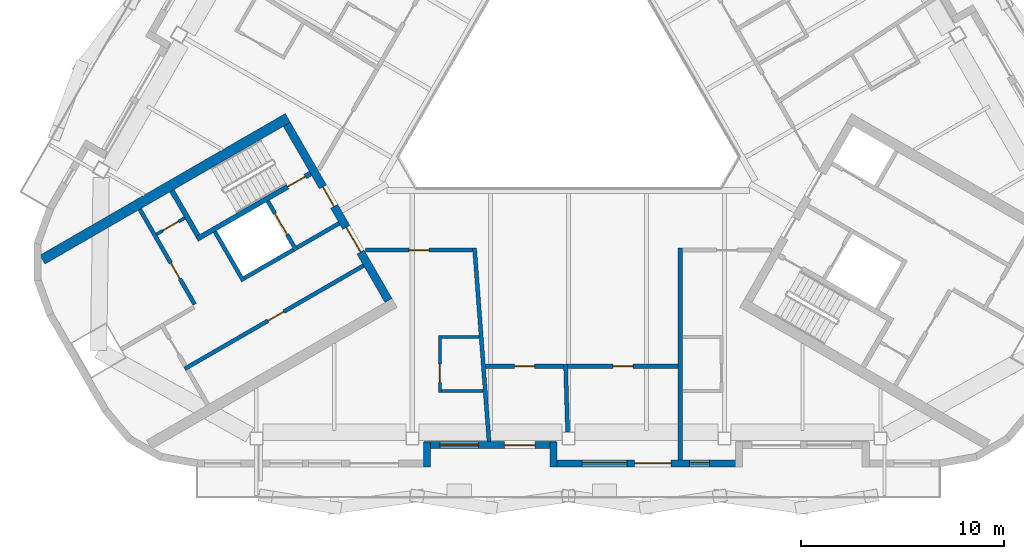
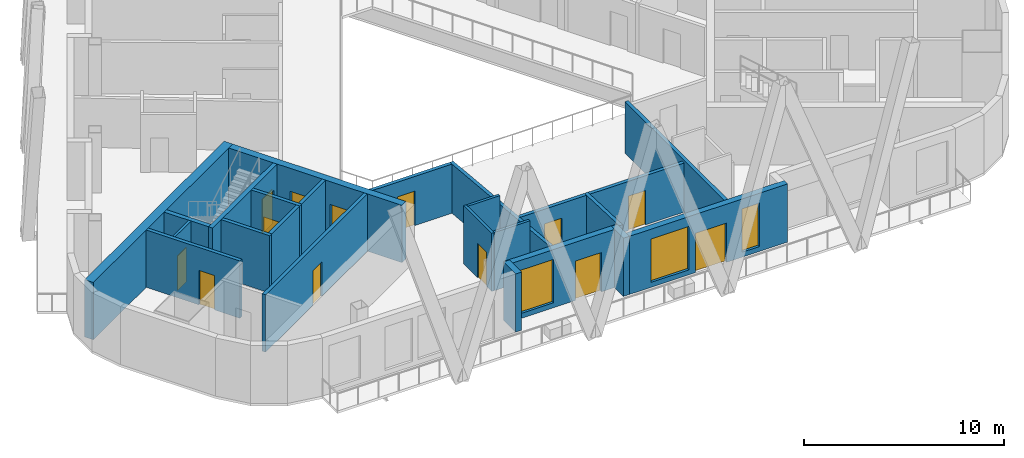
# One storey, part 3 of 14: 24 walls, 13 doors, 3 windows, 16 openings.
"""IFC4 building model written with IfcOpenShell, lengths in metres."""

from ifc_helpers import new_model, si_unit, direction, frame, frame_2d, origin, place, context, subcontext, project, spatial, rectangle, extrude, material, layer, layer_set, type_object, element, fill, save


model = new_model("IFC4")

# Units and contexts
model_context = context("Model", 3, precision=1e-05, world=origin(), true_north=direction((0.0, 1.0)))
body_context = subcontext(model_context, "Body", "Model", "MODEL_VIEW")
ifc_project = project(units=[si_unit("LENGTHUNIT", "METRE"), si_unit("AREAUNIT", "SQUARE_METRE"), si_unit("VOLUMEUNIT", "CUBIC_METRE"), si_unit("PLANEANGLEUNIT", "RADIAN"), si_unit("MASSUNIT", "GRAM", prefix="KILO")], contexts=[model_context])

# Site, building, storey
site_placement = place(None, origin())
site = spatial("IfcSite", under=ifc_project, at=site_placement, CompositionType="ELEMENT")
building_placement = place(site_placement, origin())
building = spatial("IfcBuilding", under=site, at=building_placement, Name="Apuvela Tower Hotel", CompositionType="ELEMENT")
storey_placement = place(building_placement, frame((0.0, 0.0, 257.800048828125)))
storey = spatial("IfcBuildingStorey", under=building, at=storey_placement, Name="L63", CompositionType="ELEMENT", Elevation=257.800048828125)

# Wall, openings, doors
ifc_material_1 = material(Name="Concrete C50/60", Category="concrete")
ifc_layer_1 = layer(ifc_material_1, 0.39990234375)
ifc_layer_set_1 = layer_set([ifc_layer_1], Name="COR-WALL-CORE-400")
wall_type_1 = type_object("IfcWallType", Name="COR-WALL-CORE-400", PredefinedType="SHEAR", material=ifc_layer_set_1)
wall_1_placement = place(storey_placement, frame((-13.844970703125, -2.219970703125, 0.0), z_axis=(0.0, 0.0, 1.0), x_axis=(0.500004234368, -0.866022959057, 0.0)))
wall_1 = element("IfcWall", 1, at=wall_1_placement, inside=storey, type_object=wall_type_1, Name="Core wall SW", PredefinedType="SHEAR", context=body_context, shape_type="SweptSolid", body=[
    extrude(rectangle(XDim=10.0, YDim=0.39990234375, at=frame_2d((5.0, 0.0))), origin(), (0.0, 0.0, 1.0), 3.5),
])
opening_1_placement = place(wall_1_placement, frame((3.550048828125, 0.0, 0.0)))
opening_1 = element("IfcOpeningElement", 2, at=opening_1_placement, cuts=wall_1, Name="Opening W-FD", PredefinedType="OPENING", context=body_context, shape_type="SweptSolid", body=[
    extrude(rectangle(XDim=1.10009765625, YDim=2.10009765625, at=frame_2d((0.550048828125, 1.050048828125))), frame((0.0, 0.2099609375, 0.0), z_axis=(0.0, -1.0, 0.0), x_axis=(1.0, 0.0, 0.0)), (0.0, 0.0, 1.0), 0.419921875),
])
opening_2_placement = place(wall_1_placement, frame((5.85009765625, 0.0, 0.0)))
opening_2 = element("IfcOpeningElement", 3, at=opening_2_placement, cuts=wall_1, Name="Opening W-GD", PredefinedType="OPENING", context=body_context, shape_type="SweptSolid", body=[
    extrude(rectangle(XDim=1.39990234375, YDim=2.10009765625, at=frame_2d((0.699951171875, 1.050048828125))), frame((0.0, 0.2099609375, 0.0), z_axis=(0.0, -1.0, 0.0), x_axis=(1.0, 0.0, 0.0)), (0.0, 0.0, 1.0), 0.419921875),
])
ifc_material_2 = material(Name="Steel fire door, powder coated", Category="steel")
door_type_1 = type_object("IfcDoorType", Name="COR-FD-1100", OperationType="NOTDEFINED", PredefinedType="DOOR", material=ifc_material_2)
door_1_placement = place(opening_1_placement, frame((1.10009765625, 0.0, 0.0), z_axis=(0.0, 0.0, 1.0), x_axis=(-1.0, 0.0, 0.0)))
door_1 = element("IfcDoor", 4, at=door_1_placement, inside=storey, type_object=door_type_1, Name="Firefighting lobby door W-FD", OperationType="SINGLE_SWING_LEFT", OverallHeight=2.10009765625, OverallWidth=1.10009765625, PredefinedType="DOOR", context=body_context, shape_type="SweptSolid", body=[
    extrude(rectangle(XDim=1.10009765625, YDim=2.10009765625, at=frame_2d((0.550048828125, 1.050048828125))), frame((0.0, 0.02490234375, 0.0), z_axis=(0.0, -1.0, 0.0), x_axis=(1.0, 0.0, 0.0)), (0.0, 0.0, 1.0), 0.050048828125),
])
fill(opening_1, door_1)
ifc_material_3 = material(Name="Glazed steel fire door", Category="steel")
door_type_2 = type_object("IfcDoorType", Name="COR-GD-1400", OperationType="DOUBLE_DOOR_SINGLE_SWING", PredefinedType="DOOR", material=ifc_material_3)
door_2_placement = place(opening_2_placement, frame((1.39990234375, 0.0, 0.0), z_axis=(0.0, 0.0, 1.0), x_axis=(-1.0, 0.0, 0.0)))
door_2 = element("IfcDoor", 5, at=door_2_placement, inside=storey, type_object=door_type_2, Name="Lift lobby door W-GD", OperationType="DOUBLE_DOOR_SINGLE_SWING", OverallHeight=2.10009765625, OverallWidth=1.39990234375, PredefinedType="DOOR", context=body_context, shape_type="SweptSolid", body=[
    extrude(rectangle(XDim=1.39990234375, YDim=2.10009765625, at=frame_2d((0.699951171875, 1.050048828125))), frame((0.0, 0.02490234375, 0.0), z_axis=(0.0, -1.0, 0.0), x_axis=(1.0, 0.0, 0.0)), (0.0, 0.0, 1.0), 0.050048828125),
])
fill(opening_2, door_2)

# Wall
ifc_layer_2 = layer(ifc_material_1, 0.5)
ifc_layer_set_2 = layer_set([ifc_layer_2], Name="COR-WALL-CORE-500")
wall_type_2 = type_object("IfcWallType", Name="COR-WALL-CORE-500", PredefinedType="SHEAR", material=ifc_layer_set_2)
wall_2_placement = place(storey_placement, frame((-13.796630859375, -1.9033203125, 0.0), z_axis=(0.0, 0.0, 1.0), x_axis=(-0.86602744543, -0.49999646375, 0.0)))
element("IfcWall", 6, at=wall_2_placement, inside=storey, type_object=wall_type_2, Name="Core wall SW", PredefinedType="SHEAR", context=body_context, shape_type="SweptSolid", body=[
    extrude(rectangle(XDim=13.93408203125, YDim=0.5, at=frame_2d((6.967041015625, 0.0))), origin(), (0.0, 0.0, 1.0), 3.5),
])

# Wall, opening, door
ifc_material_4 = material(Name="Blockwork 150 mm plastered", Category="masonry")
ifc_layer_3 = layer(ifc_material_4, 0.14990234375)
ifc_layer_set_3 = layer_set([ifc_layer_3], Name="COR-WALL-PART-150")
wall_type_3 = type_object("IfcWallType", Name="COR-WALL-PART-150", PredefinedType="PARTITIONING", material=ifc_layer_set_3)
wall_3_placement = place(storey_placement, frame((-18.866455078125, -6.822265625, 0.0), z_axis=(0.0, 0.0, 1.0), x_axis=(-0.866028054938, -0.499995408039, 0.0)))
wall_3 = element("IfcWall", 7, at=wall_3_placement, inside=storey, type_object=wall_type_3, Name="Partition SW", PredefinedType="PARTITIONING", context=body_context, shape_type="SweptSolid", body=[
    extrude(rectangle(XDim=1.60009765625, YDim=0.14990234375, at=frame_2d((0.800048828125, 0.0))), origin(), (0.0, 0.0, 1.0), 3.5),
])
opening_3_placement = place(wall_3_placement, frame((0.35009765625, 0.0, 0.0)))
opening_3 = element("IfcOpeningElement", 8, at=opening_3_placement, cuts=wall_3, Name="Opening W-RD", PredefinedType="OPENING", context=body_context, shape_type="SweptSolid", body=[
    extrude(rectangle(XDim=0.89990234375, YDim=2.10009765625, at=frame_2d((0.449951171875, 1.050048828125))), frame((0.0, 0.0849609375, 0.0), z_axis=(0.0, -1.0, 0.0), x_axis=(1.0, 0.0, 0.0)), (0.0, 0.0, 1.0), 0.169921875),
])
ifc_material_5 = material(Name="Steel access door, powder coated", Category="steel")
door_type_3 = type_object("IfcDoorType", Name="COR-RD-900", OperationType="NOTDEFINED", PredefinedType="DOOR", material=ifc_material_5)
door_3_placement = place(opening_3_placement, frame((0.89990234375, 0.0, 0.0), z_axis=(0.0, 0.0, 1.0), x_axis=(-1.0, 0.0, 0.0)))
door_3 = element("IfcDoor", 9, at=door_3_placement, inside=storey, type_object=door_type_3, Name="Riser door W-RD", OperationType="SINGLE_SWING_RIGHT", OverallHeight=2.10009765625, OverallWidth=0.89990234375, PredefinedType="DOOR", context=body_context, shape_type="SweptSolid", body=[
    extrude(rectangle(XDim=0.89990234375, YDim=2.10009765625, at=frame_2d((0.449951171875, 1.050048828125))), frame((0.0, 0.02490234375, 0.0), z_axis=(0.0, -1.0, 0.0), x_axis=(1.0, 0.0, 0.0)), (0.0, 0.0, 1.0), 0.050048828125),
])
fill(opening_3, door_3)

ifc_material_6 = material(Name="Blockwork 200 mm plastered", Category="masonry")
ifc_layer_4 = layer(ifc_material_6, 0.199951171875)
ifc_layer_set_4 = layer_set([ifc_layer_4], Name="COR-WALL-PART-200")
wall_type_4 = type_object("IfcWallType", Name="COR-WALL-PART-200", PredefinedType="PARTITIONING", material=ifc_layer_set_4)
wall_4_placement = place(storey_placement, frame((-21.076171875, -6.39501953125, 0.0), z_axis=(0.0, 0.0, 1.0), x_axis=(0.50001468107, -0.866016927499, 0.0)))
wall_4 = element("IfcWall", 10, at=wall_4_placement, inside=storey, type_object=wall_type_4, Name="Partition SW", PredefinedType="PARTITIONING", context=body_context, shape_type="SweptSolid", body=[
    extrude(rectangle(XDim=5.399658203125, YDim=0.199951171875, at=frame_2d((2.69970703125, 0.0))), origin(), (0.0, 0.0, 1.0), 3.5),
])
opening_4_placement = place(wall_4_placement, frame((3.050048828125, 0.0, 0.0)))
opening_4 = element("IfcOpeningElement", 11, at=opening_4_placement, cuts=wall_4, Name="Opening W-RS1", PredefinedType="OPENING", context=body_context, shape_type="SweptSolid", body=[
    extrude(rectangle(XDim=0.89990234375, YDim=2.10009765625, at=frame_2d((0.449951171875, 1.050048828125))), frame((0.0, 0.10986328125, 0.0), z_axis=(0.0, -1.0, 0.0), x_axis=(1.0, 0.0, 0.0)), (0.0, 0.0, 1.0), 0.219970703125),
])
door_type_4 = type_object("IfcDoorType", Name="COR-DR-900", OperationType="NOTDEFINED", PredefinedType="DOOR", material=ifc_material_2)
door_4_placement = place(opening_4_placement, frame((0.89990234375, 0.0, 0.0), z_axis=(0.0, 0.0, 1.0), x_axis=(-1.0, 0.0, 0.0)))
door_4 = element("IfcDoor", 12, at=door_4_placement, inside=storey, type_object=door_type_4, Name="Store door W-RS1", OperationType="SINGLE_SWING_LEFT", OverallHeight=2.10009765625, OverallWidth=0.89990234375, PredefinedType="DOOR", context=body_context, shape_type="SweptSolid", body=[
    extrude(rectangle(XDim=0.89990234375, YDim=2.10009765625, at=frame_2d((0.449951171875, 1.050048828125))), frame((0.0, 0.02490234375, 0.0), z_axis=(0.0, -1.0, 0.0), x_axis=(1.0, 0.0, 0.0)), (0.0, 0.0, 1.0), 0.050048828125),
])
fill(opening_4, door_4)

# Wall
ifc_layer_5 = layer(ifc_material_1, 0.199951171875)
ifc_layer_set_5 = layer_set([ifc_layer_5], Name="COR-WALL-SHAFT-200")
wall_type_5 = type_object("IfcWallType", Name="COR-WALL-SHAFT-200", PredefinedType="SHEAR", material=ifc_layer_set_5)
wall_5_placement = place(storey_placement, frame((-17.38134765625, -7.49462890625, 0.0), z_axis=(0.0, 0.0, 1.0), x_axis=(0.500011755427, -0.866018616679, 0.0)))
element("IfcWall", 13, at=wall_5_placement, inside=storey, type_object=wall_type_5, Name="Shaft wall SW", PredefinedType="SHEAR", context=body_context, shape_type="SweptSolid", body=[
    extrude(rectangle(XDim=2.80029296875, YDim=0.199951171875, at=frame_2d((1.400146484375, 0.0))), origin(), (0.0, 0.0, 1.0), 3.5),
])

# Wall, opening, door
wall_6_placement = place(storey_placement, frame((-14.783203125, -5.99462890625, 0.0), z_axis=(0.0, 0.0, 1.0), x_axis=(0.49994636267, -0.866056369097, 0.0)))
wall_6 = element("IfcWall", 14, at=wall_6_placement, inside=storey, type_object=wall_type_5, Name="Shaft wall SW", PredefinedType="SHEAR", context=body_context, shape_type="SweptSolid", body=[
    extrude(rectangle(XDim=2.800048828125, YDim=0.199951171875, at=frame_2d((1.39990234375, 0.0))), origin(), (0.0, 0.0, 1.0), 3.5),
])
opening_5_placement = place(wall_6_placement, frame((0.699951171875, 0.0, 0.0)))
opening_5 = element("IfcOpeningElement", 15, at=opening_5_placement, cuts=wall_6, Name="Opening W-LD-FS2", PredefinedType="OPENING", context=body_context, shape_type="SweptSolid", body=[
    extrude(rectangle(XDim=1.199951171875, YDim=2.10009765625, at=frame_2d((0.60009765625, 1.050048828125))), frame((0.0, 0.10986328125, 0.0), z_axis=(0.0, -1.0, 0.0), x_axis=(1.0, 0.0, 0.0)), (0.0, 0.0, 1.0), 0.219970703125),
])
ifc_material_7 = material(Name="Stainless steel lift landing door", Category="steel")
door_type_5 = type_object("IfcDoorType", Name="COR-LD-1200", OperationType="DOUBLE_DOOR_SLIDING", PredefinedType="DOOR", material=ifc_material_7)
door_5_placement = place(opening_5_placement, origin())
door_5 = element("IfcDoor", 16, at=door_5_placement, inside=storey, type_object=door_type_5, Name="Lift landing door W-LD-FS2", OperationType="DOUBLE_DOOR_SLIDING", OverallHeight=2.10009765625, OverallWidth=1.199951171875, PredefinedType="DOOR", context=body_context, shape_type="SweptSolid", body=[
    extrude(rectangle(XDim=1.199951171875, YDim=2.10009765625, at=frame_2d((0.60009765625, 1.050048828125))), frame((0.0, 0.02490234375, 0.0), z_axis=(0.0, -1.0, 0.0), x_axis=(1.0, 0.0, 0.0)), (0.0, 0.0, 1.0), 0.050048828125),
])
fill(opening_5, door_5)

# Walls
wall_7_placement = place(storey_placement, frame((-13.519775390625, -8.383056640625, 0.0), z_axis=(0.0, 0.0, 1.0), x_axis=(-0.866034573852, -0.49998411664, 0.0)))
element("IfcWall", 17, at=wall_7_placement, inside=storey, type_object=wall_type_5, Name="Shaft wall SW", PredefinedType="SHEAR", context=body_context, shape_type="SweptSolid", body=[
    extrude(rectangle(XDim=2.7998046875, YDim=0.199951171875, at=frame_2d((1.39990234375, 0.0))), origin(), (0.0, 0.0, 1.0), 3.5),
])
wall_8_placement = place(storey_placement, frame((-11.26806640625, -7.0830078125, 0.0), z_axis=(0.0, 0.0, 1.0), x_axis=(-0.866050077142, -0.499957262057, 0.0)))
element("IfcWall", 18, at=wall_8_placement, inside=storey, type_object=wall_type_5, Name="Shaft wall SW", PredefinedType="SHEAR", context=body_context, shape_type="SweptSolid", body=[
    extrude(rectangle(XDim=2.400146484375, YDim=0.199951171875, at=frame_2d((1.2001953125, 0.0))), origin(), (0.0, 0.0, 1.0), 3.5),
])

# Wall, opening, door
wall_9_placement = place(storey_placement, frame((-10.068115234375, -9.16162109375, 0.0), z_axis=(0.0, 0.0, 1.0), x_axis=(-0.866032725843, -0.499987317609, 0.0)))
wall_9 = element("IfcWall", 19, at=wall_9_placement, inside=storey, type_object=wall_type_5, Name="Shaft wall SW", PredefinedType="SHEAR", context=body_context, shape_type="SweptSolid", body=[
    extrude(rectangle(XDim=10.159912109375, YDim=0.199951171875, at=frame_2d((5.080078125, 0.0))), origin(), (0.0, 0.0, 1.0), 3.5),
])
opening_6_placement = place(wall_9_placement, frame((4.530029296875, 0.0, 0.0)))
opening_6 = element("IfcOpeningElement", 20, at=opening_6_placement, cuts=wall_9, Name="Opening W-RE1", PredefinedType="OPENING", context=body_context, shape_type="SweptSolid", body=[
    extrude(rectangle(XDim=0.89990234375, YDim=2.10009765625, at=frame_2d((0.449951171875, 1.050048828125))), frame((0.0, 0.10986328125, 0.0), z_axis=(0.0, -1.0, 0.0), x_axis=(1.0, 0.0, 0.0)), (0.0, 0.0, 1.0), 0.219970703125),
])
door_6_placement = place(opening_6_placement, origin())
door_6 = element("IfcDoor", 21, at=door_6_placement, inside=storey, type_object=door_type_4, Name="Store door W-RE1", OperationType="SINGLE_SWING_LEFT", OverallHeight=2.10009765625, OverallWidth=0.89990234375, PredefinedType="DOOR", context=body_context, shape_type="SweptSolid", body=[
    extrude(rectangle(XDim=0.89990234375, YDim=2.10009765625, at=frame_2d((0.449951171875, 1.050048828125))), frame((0.0, 0.02490234375, 0.0), z_axis=(0.0, -1.0, 0.0), x_axis=(1.0, 0.0, 0.0)), (0.0, 0.0, 1.0), 0.050048828125),
])
fill(opening_6, door_6)

ifc_layer_6 = layer(ifc_material_1, 0.25)
ifc_layer_set_6 = layer_set([ifc_layer_6], Name="COR-WALL-STAIR-250")
wall_type_6 = type_object("IfcWallType", Name="COR-WALL-STAIR-250", PredefinedType="SHEAR", material=ifc_layer_set_6)
wall_10_placement = place(storey_placement, frame((-12.6806640625, -4.636474609375, 0.0), z_axis=(0.0, 0.0, 1.0), x_axis=(-0.866021702275, -0.500006411147, 0.0)))
wall_10 = element("IfcWall", 22, at=wall_10_placement, inside=storey, type_object=wall_type_6, Name="Stair wall SW", PredefinedType="SHEAR", context=body_context, shape_type="SweptSolid", body=[
    extrude(rectangle(XDim=6.4501953125, YDim=0.25, at=frame_2d((3.22509765625, 0.0))), origin(), (0.0, 0.0, 1.0), 3.5),
])
opening_7_placement = place(wall_10_placement, frame((0.300048828125, 0.0, 0.0)))
opening_7 = element("IfcOpeningElement", 23, at=opening_7_placement, cuts=wall_10, Name="Opening W-SD", PredefinedType="OPENING", context=body_context, shape_type="SweptSolid", body=[
    extrude(rectangle(XDim=1.0, YDim=2.10009765625, at=frame_2d((0.5, 1.050048828125))), frame((0.0, 0.135009765625, 0.0), z_axis=(0.0, -1.0, 0.0), x_axis=(1.0, 0.0, 0.0)), (0.0, 0.0, 1.0), 0.27001953125),
])
door_type_6 = type_object("IfcDoorType", Name="COR-SD-1000", OperationType="NOTDEFINED", PredefinedType="DOOR", material=ifc_material_2)
door_7_placement = place(opening_7_placement, frame((1.0, 0.0, 0.0), z_axis=(0.0, 0.0, 1.0), x_axis=(-1.0, 0.0, 0.0)))
door_7 = element("IfcDoor", 24, at=door_7_placement, inside=storey, type_object=door_type_6, Name="Stair door W-SD", OperationType="SINGLE_SWING_LEFT", OverallHeight=2.10009765625, OverallWidth=1.0, PredefinedType="DOOR", context=body_context, shape_type="SweptSolid", body=[
    extrude(rectangle(XDim=1.0, YDim=2.10009765625, at=frame_2d((0.5, 1.050048828125))), frame((0.0, 0.02490234375, 0.0), z_axis=(0.0, -1.0, 0.0), x_axis=(1.0, 0.0, 0.0)), (0.0, 0.0, 1.0), 0.050048828125),
])
fill(opening_7, door_7)

# Walls
wall_11_placement = place(storey_placement, frame((-19.49560546875, -5.482421875, 0.0), z_axis=(0.0, 0.0, 1.0), x_axis=(0.499990435942, -0.866030925526, 0.0)))
element("IfcWall", 25, at=wall_11_placement, inside=storey, type_object=wall_type_6, Name="Stair wall SW", PredefinedType="SHEAR", context=body_context, shape_type="SweptSolid", body=[
    extrude(rectangle(XDim=2.5498046875, YDim=0.25, at=frame_2d((1.27490234375, 0.0))), origin(), (0.0, 0.0, 1.0), 3.5),
])
ifc_material_8 = material(Name="Concrete C40/50, dark pigmented precast panel", Category="concrete")
ifc_layer_7 = layer(ifc_material_8, 0.35009765625)
ifc_layer_set_7 = layer_set([ifc_layer_7], Name="ENV-WALL-350")
wall_type_7 = type_object("IfcWallType", Name="ENV-WALL-350", PredefinedType="SOLIDWALL", material=ifc_layer_set_7)
wall_12_placement = place(storey_placement, frame((-6.94677734375, -19.06298828125, 0.0), z_axis=(0.0, 0.0, 1.0), x_axis=(0.0, 1.0, 0.0)))
element("IfcWall", 26, at=wall_12_placement, inside=storey, type_object=wall_type_7, Name="External wall L63-18", PredefinedType="SOLIDWALL", context=body_context, shape_type="SweptSolid", body=[
    extrude(rectangle(XDim=1.219970703125, YDim=0.35009765625, at=frame_2d((0.60986328125, 0.0))), origin(), (0.0, 0.0, 1.0), 3.550048828125),
])

# Wall, openings, door, window
wall_13_placement = place(storey_placement, frame((-7.091796875, -17.98779296875, 0.0), z_axis=(0.0, 0.0, 1.0), x_axis=(1.0, 0.0, 0.0)))
wall_13 = element("IfcWall", 27, at=wall_13_placement, inside=storey, type_object=wall_type_7, Name="External wall L63-19", PredefinedType="SOLIDWALL", context=body_context, shape_type="SweptSolid", body=[
    extrude(rectangle(XDim=6.51171875, YDim=0.35009765625, at=frame_2d((3.255859375, 0.0))), origin(), (0.0, 0.0, 1.0), 3.550048828125),
])
opening_8_placement = place(wall_13_placement, frame((0.77001953125, 0.0, 0.300048828125)))
opening_8 = element("IfcOpeningElement", 28, at=opening_8_placement, cuts=wall_13, Name="Opening WN19", PredefinedType="OPENING", context=body_context, shape_type="SweptSolid", body=[
    extrude(rectangle(XDim=1.89990234375, YDim=2.64990234375, at=frame_2d((0.949951171875, 1.324951171875))), frame((0.0, 0.18505859375, 0.0), z_axis=(0.0, -1.0, 0.0), x_axis=(1.0, 0.0, 0.0)), (0.0, 0.0, 1.0), 0.3701171875),
])
opening_9_placement = place(wall_13_placement, frame((3.93994140625, 0.0, 0.0)))
opening_9 = element("IfcOpeningElement", 29, at=opening_9_placement, cuts=wall_13, Name="Opening BD15", PredefinedType="OPENING", context=body_context, shape_type="SweptSolid", body=[
    extrude(rectangle(XDim=1.5, YDim=2.39990234375, at=frame_2d((0.75, 1.199951171875))), frame((0.0, 0.18505859375, 0.0), z_axis=(0.0, -1.0, 0.0), x_axis=(1.0, 0.0, 0.0)), (0.0, 0.0, 1.0), 0.3701171875),
])
ifc_material_9 = material(Name="Aluminium 6063-T6, dark bronze anodised frame with dark tinted laminated glass", Category="aluminium")
door_type_7 = type_object("IfcDoorType", Name="ENV-DOOR-BALCONY-1500x2400", OperationType="SLIDING_TO_LEFT", PredefinedType="DOOR", material=ifc_material_9)
door_8_placement = place(opening_9_placement, frame((1.5, 0.0, 0.0), z_axis=(0.0, 0.0, 1.0), x_axis=(-1.0, 0.0, 0.0)))
door_8 = element("IfcDoor", 30, at=door_8_placement, inside=storey, type_object=door_type_7, Name="Balcony door BD15", OperationType="SLIDING_TO_LEFT", OverallHeight=2.39990234375, OverallWidth=1.5, PredefinedType="DOOR", context=body_context, shape_type="SweptSolid", body=[
    extrude(rectangle(XDim=1.5, YDim=2.39990234375, at=frame_2d((0.75, 1.199951171875))), frame((0.0, 0.02490234375, 0.0), z_axis=(0.0, -1.0, 0.0), x_axis=(1.0, 0.0, 0.0)), (0.0, 0.0, 1.0), 0.050048828125),
])
fill(opening_9, door_8)
ifc_material_10 = material(Name="Glass, dark tinted laminated insulated glazing unit", Category="glass")
window_type_1 = type_object("IfcWindowType", Name="ENV-WIN-1900x2650", PartitioningType="SINGLE_PANEL", PredefinedType="WINDOW", material=ifc_material_10)
window_1_placement = place(opening_8_placement, origin())
window_1 = element("IfcWindow", 31, at=window_1_placement, inside=storey, type_object=window_type_1, Name="Window WN19", OverallHeight=2.64990234375, OverallWidth=1.89990234375, PartitioningType="SINGLE_PANEL", PredefinedType="WINDOW", context=body_context, shape_type="SweptSolid", body=[
    extrude(rectangle(XDim=1.89990234375, YDim=2.64990234375, at=frame_2d((0.949951171875, 1.324951171875))), frame((0.0, 0.030029296875, 0.0), z_axis=(0.0, -1.0, 0.0), x_axis=(1.0, 0.0, 0.0)), (0.0, 0.0, 1.0), 0.06005859375),
])
fill(opening_8, window_1)

# Wall
wall_14_placement = place(storey_placement, frame((-0.72509765625, -17.843017578125, 0.0), z_axis=(0.0, 0.0, 1.0), x_axis=(0.0, -1.0, 0.0)))
element("IfcWall", 32, at=wall_14_placement, inside=storey, type_object=wall_type_7, Name="External wall L63-20", PredefinedType="SOLIDWALL", context=body_context, shape_type="SweptSolid", body=[
    extrude(rectangle(XDim=1.219970703125, YDim=0.35009765625, at=frame_2d((0.60986328125, 0.0))), origin(), (0.0, 0.0, 1.0), 3.550048828125),
])

# Wall, openings, door, windows
wall_15_placement = place(storey_placement, frame((-0.89990234375, -18.887939453125, 0.0), z_axis=(0.0, 0.0, 1.0), x_axis=(1.0, 0.0, 0.0)))
wall_15 = element("IfcWall", 33, at=wall_15_placement, inside=storey, type_object=wall_type_7, Name="External wall L63-21", PredefinedType="SOLIDWALL", context=body_context, shape_type="SweptSolid", body=[
    extrude(rectangle(XDim=9.4716796875, YDim=0.35009765625, at=frame_2d((4.73583984375, 0.0))), origin(), (0.0, 0.0, 1.0), 3.550048828125),
])
opening_10_placement = place(wall_15_placement, frame((4.150390625, 0.0, 0.0)))
opening_10 = element("IfcOpeningElement", 34, at=opening_10_placement, cuts=wall_15, Name="Opening BD18", PredefinedType="OPENING", context=body_context, shape_type="SweptSolid", body=[
    extrude(rectangle(XDim=1.800048828125, YDim=2.39990234375, at=frame_2d((0.89990234375, 1.199951171875))), frame((0.0, 0.18505859375, 0.0), z_axis=(0.0, -1.0, 0.0), x_axis=(1.0, 0.0, 0.0)), (0.0, 0.0, 1.0), 0.3701171875),
])
opening_11_placement = place(wall_15_placement, frame((1.5751953125, 0.0, 0.300048828125)))
opening_11 = element("IfcOpeningElement", 35, at=opening_11_placement, cuts=wall_15, Name="Opening WN22", PredefinedType="OPENING", context=body_context, shape_type="SweptSolid", body=[
    extrude(rectangle(XDim=2.199951171875, YDim=2.64990234375, at=frame_2d((1.10009765625, 1.324951171875))), frame((0.0, 0.18505859375, 0.0), z_axis=(0.0, -1.0, 0.0), x_axis=(1.0, 0.0, 0.0)), (0.0, 0.0, 1.0), 0.3701171875),
])
opening_12_placement = place(wall_15_placement, frame((6.849609375, 0.0, 0.300048828125)))
opening_12 = element("IfcOpeningElement", 36, at=opening_12_placement, cuts=wall_15, Name="Opening WN10", PredefinedType="OPENING", context=body_context, shape_type="SweptSolid", body=[
    extrude(rectangle(XDim=1.0, YDim=2.64990234375, at=frame_2d((0.5, 1.324951171875))), frame((0.0, 0.18505859375, 0.0), z_axis=(0.0, -1.0, 0.0), x_axis=(1.0, 0.0, 0.0)), (0.0, 0.0, 1.0), 0.3701171875),
])
door_type_8 = type_object("IfcDoorType", Name="ENV-DOOR-BALCONY-1800x2400", OperationType="SLIDING_TO_LEFT", PredefinedType="DOOR", material=ifc_material_9)
door_9_placement = place(opening_10_placement, frame((1.800048828125, 0.0, 0.0), z_axis=(0.0, 0.0, 1.0), x_axis=(-1.0, 0.0, 0.0)))
door_9 = element("IfcDoor", 37, at=door_9_placement, inside=storey, type_object=door_type_8, Name="Balcony door BD18", OperationType="SLIDING_TO_LEFT", OverallHeight=2.39990234375, OverallWidth=1.800048828125, PredefinedType="DOOR", context=body_context, shape_type="SweptSolid", body=[
    extrude(rectangle(XDim=1.800048828125, YDim=2.39990234375, at=frame_2d((0.89990234375, 1.199951171875))), frame((0.0, 0.02490234375, 0.0), z_axis=(0.0, -1.0, 0.0), x_axis=(1.0, 0.0, 0.0)), (0.0, 0.0, 1.0), 0.050048828125),
])
fill(opening_10, door_9)
window_type_2 = type_object("IfcWindowType", Name="ENV-WIN-1000x2650", PartitioningType="SINGLE_PANEL", PredefinedType="WINDOW", material=ifc_material_10)
window_2_placement = place(opening_12_placement, origin())
window_2 = element("IfcWindow", 38, at=window_2_placement, inside=storey, type_object=window_type_2, Name="Window WN10", OverallHeight=2.64990234375, OverallWidth=1.0, PartitioningType="SINGLE_PANEL", PredefinedType="WINDOW", context=body_context, shape_type="SweptSolid", body=[
    extrude(rectangle(XDim=1.0, YDim=2.64990234375, at=frame_2d((0.5, 1.324951171875))), frame((0.0, 0.030029296875, 0.0), z_axis=(0.0, -1.0, 0.0), x_axis=(1.0, 0.0, 0.0)), (0.0, 0.0, 1.0), 0.06005859375),
])
fill(opening_12, window_2)
window_type_3 = type_object("IfcWindowType", Name="ENV-WIN-2200x2650", PartitioningType="SINGLE_PANEL", PredefinedType="WINDOW", material=ifc_material_10)
window_3_placement = place(opening_11_placement, origin())
window_3 = element("IfcWindow", 39, at=window_3_placement, inside=storey, type_object=window_type_3, Name="Window WN22", OverallHeight=2.64990234375, OverallWidth=2.199951171875, PartitioningType="SINGLE_PANEL", PredefinedType="WINDOW", context=body_context, shape_type="SweptSolid", body=[
    extrude(rectangle(XDim=2.199951171875, YDim=2.64990234375, at=frame_2d((1.10009765625, 1.324951171875))), frame((0.0, 0.030029296875, 0.0), z_axis=(0.0, -1.0, 0.0), x_axis=(1.0, 0.0, 0.0)), (0.0, 0.0, 1.0), 0.06005859375),
])
fill(opening_11, window_3)

# Walls
ifc_material_11 = material(Name="Gypsum board partition on twin steel stud", Category="steel")
ifc_layer_8 = layer(ifc_material_11, 0.199951171875)
ifc_layer_set_8 = layer_set([ifc_layer_8], Name="GST-PW1")
wall_type_8 = type_object("IfcWallType", Name="GST-PW1", PredefinedType="PARTITIONING", material=ifc_layer_set_8)
wall_16_placement = place(storey_placement, frame((-3.9033203125, -17.81298828125, 0.0), z_axis=(0.0, 0.0, 1.0), x_axis=(-0.074602257677, 0.997213368918, 0.0)))
element("IfcWall", 40, at=wall_16_placement, inside=storey, type_object=wall_type_8, Name="L63 partition 01", PredefinedType="PARTITIONING", context=body_context, shape_type="SweptSolid", body=[
    extrude(rectangle(XDim=9.53955078125, YDim=0.199951171875, at=frame_2d((4.769775390625, 0.0))), origin(), (0.0, 0.0, 1.0), 3.0),
])
wall_17_placement = place(storey_placement, frame((-0.040283203125, -17.337890625, 0.0), z_axis=(0.0, 0.0, 1.0), x_axis=(-0.029431403757, 0.999566802406, 0.0)))
element("IfcWall", 41, at=wall_17_placement, inside=storey, type_object=wall_type_8, Name="L63 partition 02", PredefinedType="PARTITIONING", context=body_context, shape_type="SweptSolid", body=[
    extrude(rectangle(XDim=3.326416015625, YDim=0.199951171875, at=frame_2d((1.6630859375, 0.0))), origin(), (0.0, 0.0, 1.0), 3.0),
])
wall_18_placement = place(storey_placement, frame((5.5, -18.712890625, 0.0), z_axis=(0.0, 0.0, 1.0), x_axis=(0.0, 1.0, 0.0)))
element("IfcWall", 42, at=wall_18_placement, inside=storey, type_object=wall_type_8, Name="L63 partition 03", PredefinedType="PARTITIONING", context=body_context, shape_type="SweptSolid", body=[
    extrude(rectangle(XDim=10.412841796875, YDim=0.199951171875, at=frame_2d((5.20654296875, 0.0))), origin(), (0.0, 0.0, 1.0), 3.159912109375),
])

# Wall, opening, door
ifc_material_12 = material(Name="Gypsum board corridor wall on twin steel stud, acoustic", Category="steel")
ifc_layer_9 = layer(ifc_material_12, 0.199951171875)
ifc_layer_set_9 = layer_set([ifc_layer_9], Name="GST-PW2")
wall_type_9 = type_object("IfcWallType", Name="GST-PW2", PredefinedType="PARTITIONING", material=ifc_layer_set_9)
wall_19_placement = place(storey_placement, frame((-4.707763671875, -8.39990234375, 0.0), z_axis=(0.0, 0.0, 1.0), x_axis=(-1.0, 0.0, 0.0)))
wall_19 = element("IfcWall", 43, at=wall_19_placement, inside=storey, type_object=wall_type_9, Name="L63 partition 11", PredefinedType="PARTITIONING", context=body_context, shape_type="SweptSolid", body=[
    extrude(rectangle(XDim=5.280517578125, YDim=0.199951171875, at=frame_2d((2.64013671875, 0.0))), origin(), (0.0, 0.0, 1.0), 3.0),
])
opening_13_placement = place(wall_19_placement, frame((2.14013671875, 0.0, 0.0)))
opening_13 = element("IfcOpeningElement", 44, at=opening_13_placement, cuts=wall_19, Name="Opening GD25-02", PredefinedType="OPENING", context=body_context, shape_type="SweptSolid", body=[
    extrude(rectangle(XDim=1.0, YDim=2.10009765625, at=frame_2d((0.5, 1.050048828125))), frame((0.0, 0.10986328125, 0.0), z_axis=(0.0, -1.0, 0.0), x_axis=(1.0, 0.0, 0.0)), (0.0, 0.0, 1.0), 0.219970703125),
])
ifc_material_13 = material(Name="Timber door leaf in steel frame", Category="steel")
door_type_9 = type_object("IfcDoorType", Name="GST-D1", OperationType="NOTDEFINED", PredefinedType="DOOR", material=ifc_material_13)
door_10_placement = place(opening_13_placement, origin())
door_10 = element("IfcDoor", 45, at=door_10_placement, inside=storey, type_object=door_type_9, Name="Door L63-02", OperationType="SINGLE_SWING_LEFT", OverallHeight=2.10009765625, OverallWidth=1.0, PredefinedType="DOOR", context=body_context, shape_type="SweptSolid", body=[
    extrude(rectangle(XDim=1.0, YDim=2.10009765625, at=frame_2d((0.5, 1.050048828125))), frame((0.0, 0.02490234375, 0.0), z_axis=(0.0, -1.0, 0.0), x_axis=(1.0, 0.0, 0.0)), (0.0, 0.0, 1.0), 0.050048828125),
])
fill(opening_13, door_10)

wall_20_placement = place(storey_placement, frame((-0.235107421875, -14.11279296875, 0.0), z_axis=(0.0, 0.0, 1.0), x_axis=(-1.0, 0.0, 0.0)))
wall_20 = element("IfcWall", 46, at=wall_20_placement, inside=storey, type_object=wall_type_9, Name="L63 partition 15", PredefinedType="PARTITIONING", context=body_context, shape_type="SweptSolid", body=[
    extrude(rectangle(XDim=3.8447265625, YDim=0.199951171875, at=frame_2d((1.92236328125, 0.0))), origin(), (0.0, 0.0, 1.0), 3.0),
])
opening_14_placement = place(wall_20_placement, frame((1.42236328125, 0.0, 0.0)))
opening_14 = element("IfcOpeningElement", 47, at=opening_14_placement, cuts=wall_20, Name="Opening GD25-03", PredefinedType="OPENING", context=body_context, shape_type="SweptSolid", body=[
    extrude(rectangle(XDim=1.0, YDim=2.10009765625, at=frame_2d((0.5, 1.050048828125))), frame((0.0, 0.10986328125, 0.0), z_axis=(0.0, -1.0, 0.0), x_axis=(1.0, 0.0, 0.0)), (0.0, 0.0, 1.0), 0.219970703125),
])
door_11_placement = place(opening_14_placement, origin())
door_11 = element("IfcDoor", 48, at=door_11_placement, inside=storey, type_object=door_type_9, Name="Door L63-03", OperationType="SINGLE_SWING_LEFT", OverallHeight=2.10009765625, OverallWidth=1.0, PredefinedType="DOOR", context=body_context, shape_type="SweptSolid", body=[
    extrude(rectangle(XDim=1.0, YDim=2.10009765625, at=frame_2d((0.5, 1.050048828125))), frame((0.0, 0.02490234375, 0.0), z_axis=(0.0, -1.0, 0.0), x_axis=(1.0, 0.0, 0.0)), (0.0, 0.0, 1.0), 0.050048828125),
])
fill(opening_14, door_11)

wall_21_placement = place(storey_placement, frame((5.39990234375, -14.11279296875, 0.0), z_axis=(0.0, 0.0, 1.0), x_axis=(-1.0, 0.0, 0.0)))
wall_21 = element("IfcWall", 49, at=wall_21_placement, inside=storey, type_object=wall_type_9, Name="L63 partition 16", PredefinedType="PARTITIONING", context=body_context, shape_type="SweptSolid", body=[
    extrude(rectangle(XDim=5.43505859375, YDim=0.199951171875, at=frame_2d((2.717529296875, 0.0))), origin(), (0.0, 0.0, 1.0), 3.0),
])
opening_15_placement = place(wall_21_placement, frame((2.217529296875, 0.0, 0.0)))
opening_15 = element("IfcOpeningElement", 50, at=opening_15_placement, cuts=wall_21, Name="Opening GD25-04", PredefinedType="OPENING", context=body_context, shape_type="SweptSolid", body=[
    extrude(rectangle(XDim=1.0, YDim=2.10009765625, at=frame_2d((0.5, 1.050048828125))), frame((0.0, 0.10986328125, 0.0), z_axis=(0.0, -1.0, 0.0), x_axis=(1.0, 0.0, 0.0)), (0.0, 0.0, 1.0), 0.219970703125),
])
door_12_placement = place(opening_15_placement, origin())
door_12 = element("IfcDoor", 51, at=door_12_placement, inside=storey, type_object=door_type_9, Name="Door L63-04", OperationType="SINGLE_SWING_LEFT", OverallHeight=2.10009765625, OverallWidth=1.0, PredefinedType="DOOR", context=body_context, shape_type="SweptSolid", body=[
    extrude(rectangle(XDim=1.0, YDim=2.10009765625, at=frame_2d((0.5, 1.050048828125))), frame((0.0, 0.02490234375, 0.0), z_axis=(0.0, -1.0, 0.0), x_axis=(1.0, 0.0, 0.0)), (0.0, 0.0, 1.0), 0.050048828125),
])
fill(opening_15, door_12)

ifc_material_14 = material(Name="Moisture-resistant gypsum board wet wall on steel stud", Category="steel")
ifc_layer_10 = layer(ifc_material_14, 0.14990234375)
ifc_layer_set_10 = layer_set([ifc_layer_10], Name="GST-PW3")
wall_type_10 = type_object("IfcWallType", Name="GST-PW3", PredefinedType="PARTITIONING", material=ifc_layer_set_10)
wall_22_placement = place(storey_placement, frame((-6.318603515625, -12.60009765625, 0.0), z_axis=(0.0, 0.0, 1.0), x_axis=(0.0, -1.0, 0.0)))
wall_22 = element("IfcWall", 52, at=wall_22_placement, inside=storey, type_object=wall_type_10, Name="L63 partition 12", PredefinedType="PARTITIONING", context=body_context, shape_type="SweptSolid", body=[
    extrude(rectangle(XDim=2.7998046875, YDim=0.14990234375, at=frame_2d((1.39990234375, 0.0))), origin(), (0.0, 0.0, 1.0), 3.550048828125),
])
opening_16_placement = place(wall_22_placement, frame((1.39990234375, 0.0, 0.0)))
opening_16 = element("IfcOpeningElement", 53, at=opening_16_placement, cuts=wall_22, Name="Opening GD25-01", PredefinedType="OPENING", context=body_context, shape_type="SweptSolid", body=[
    extrude(rectangle(XDim=0.89990234375, YDim=2.10009765625, at=frame_2d((0.449951171875, 1.050048828125))), frame((0.0, 0.0849609375, 0.0), z_axis=(0.0, -1.0, 0.0), x_axis=(1.0, 0.0, 0.0)), (0.0, 0.0, 1.0), 0.169921875),
])
door_type_10 = type_object("IfcDoorType", Name="GST-D2", OperationType="NOTDEFINED", PredefinedType="DOOR", material=ifc_material_13)
door_13_placement = place(opening_16_placement, origin())
door_13 = element("IfcDoor", 54, at=door_13_placement, inside=storey, type_object=door_type_10, Name="Door L63-01", OperationType="SINGLE_SWING_RIGHT", OverallHeight=2.10009765625, OverallWidth=0.89990234375, PredefinedType="DOOR", context=body_context, shape_type="SweptSolid", body=[
    extrude(rectangle(XDim=0.89990234375, YDim=2.10009765625, at=frame_2d((0.449951171875, 1.050048828125))), frame((0.0, 0.02490234375, 0.0), z_axis=(0.0, -1.0, 0.0), x_axis=(1.0, 0.0, 0.0)), (0.0, 0.0, 1.0), 0.050048828125),
])
fill(opening_16, door_13)

# Walls
wall_23_placement = place(storey_placement, frame((-6.243408203125, -15.324951171875, 0.0), z_axis=(0.0, 0.0, 1.0), x_axis=(1.0, 0.0, 0.0)))
element("IfcWall", 55, at=wall_23_placement, inside=storey, type_object=wall_type_10, Name="L63 partition 13", PredefinedType="PARTITIONING", context=body_context, shape_type="SweptSolid", body=[
    extrude(rectangle(XDim=2.0537109375, YDim=0.14990234375, at=frame_2d((1.02685546875, 0.0))), origin(), (0.0, 0.0, 1.0), 3.550048828125),
])
wall_24_placement = place(storey_placement, frame((-6.243408203125, -12.675048828125, 0.0), z_axis=(0.0, 0.0, 1.0), x_axis=(1.0, 0.0, 0.0)))
element("IfcWall", 56, at=wall_24_placement, inside=storey, type_object=wall_type_10, Name="L63 partition 14", PredefinedType="PARTITIONING", context=body_context, shape_type="SweptSolid", body=[
    extrude(rectangle(XDim=1.85546875, YDim=0.14990234375, at=frame_2d((0.927734375, 0.0))), origin(), (0.0, 0.0, 1.0), 3.550048828125),
])

save(model, "model.ifc")
